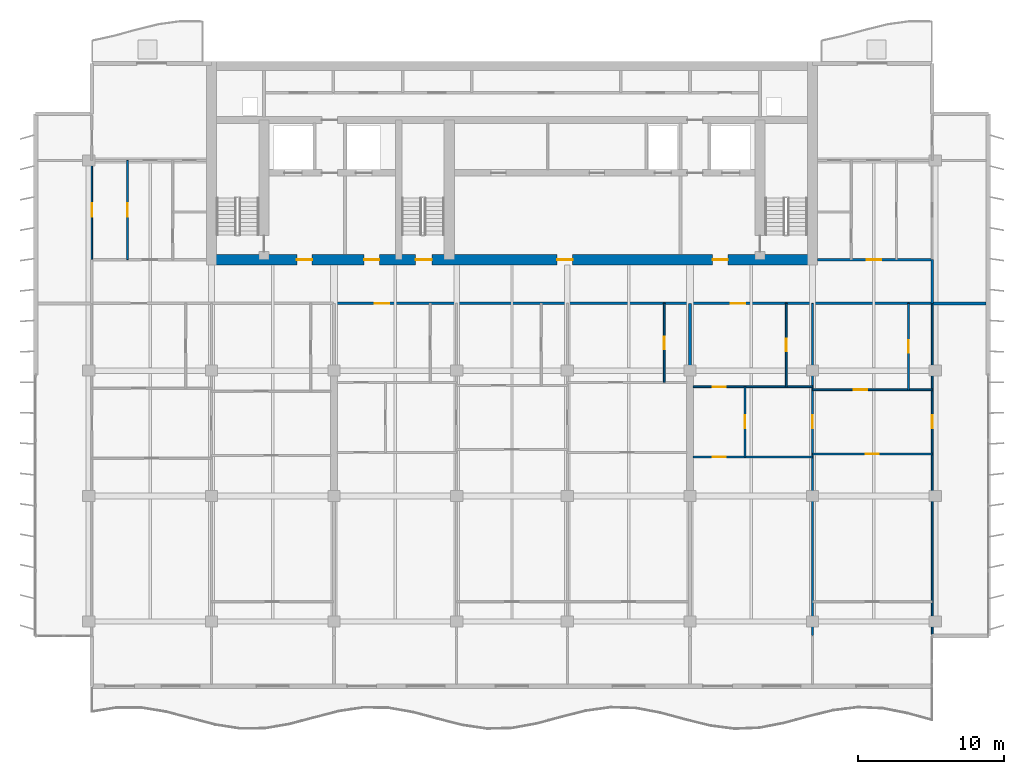
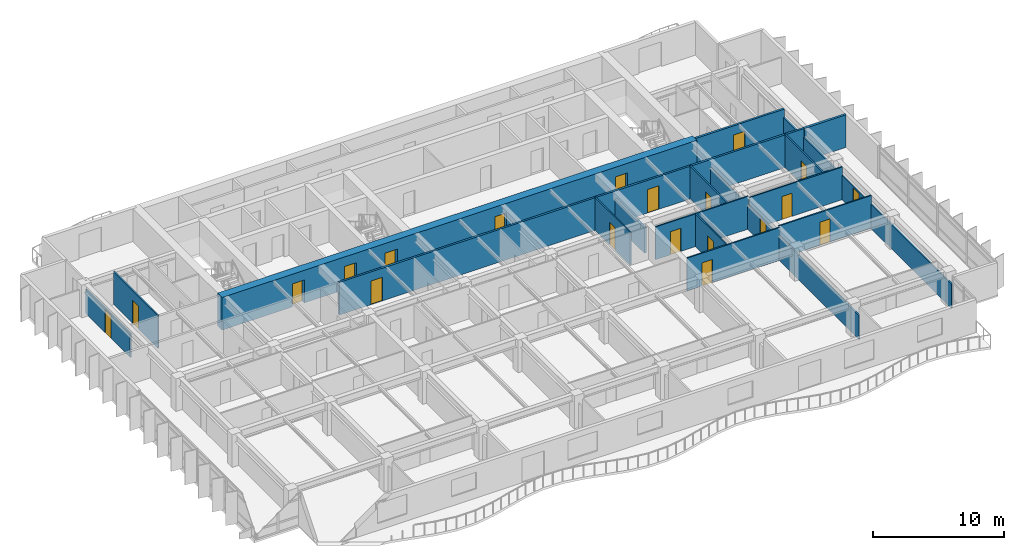
# One storey, part 9 of 16: 20 doors, 18 walls, 20 openings.
"""IFC4 building model written with IfcOpenShell, lengths in metres."""

from ifc_helpers import new_model, si_unit, direction, frame, frame_2d, origin, place, context, subcontext, project, spatial, rectangle, extrude, material, layer, layer_set, type_object, element, fill, save


model = new_model("IFC4")

# Units and contexts
model_context = context("Model", 3, precision=1e-05, world=origin(), true_north=direction((0.0, 1.0)))
body_context = subcontext(model_context, "Body", "Model", "MODEL_VIEW")
ifc_project = project(units=[si_unit("LENGTHUNIT", "METRE"), si_unit("AREAUNIT", "SQUARE_METRE"), si_unit("VOLUMEUNIT", "CUBIC_METRE"), si_unit("PLANEANGLEUNIT", "RADIAN"), si_unit("MASSUNIT", "GRAM", prefix="KILO")], contexts=[model_context])

# Site, building, storey
site_placement = place(None, origin())
site = spatial("IfcSite", under=ifc_project, at=site_placement, CompositionType="ELEMENT")
building_placement = place(site_placement, origin())
building = spatial("IfcBuilding", under=site, at=building_placement, Name="Caelmar Bay Residences", CompositionType="ELEMENT")
storey_placement = place(building_placement, frame((0.0, 0.0, 211.5)))
storey = spatial("IfcBuildingStorey", under=building, at=storey_placement, Name="L59", CompositionType="ELEMENT", Elevation=211.5)

# Wall, openings, doors
ifc_material_1 = material(Name="Concrete f'c 55 MPa (8,000 psi)", Category="concrete")
ifc_layer_1 = layer(ifc_material_1, 0.699951171875)
ifc_layer_set_1 = layer_set([ifc_layer_1], Name="Concrete f'c 55 MPa (8,000 psi)")
wall_type_1 = type_object("IfcWallType", Name="SW-COR-700", PredefinedType="SHEAR", material=ifc_layer_set_1)
wall_1_placement = place(storey_placement, frame((17.949951171875, 37.0, 0.0), z_axis=(0.0, 0.0, 1.0), x_axis=(1.0, 0.0, 0.0)))
wall_1 = element("IfcWall", 1, at=wall_1_placement, inside=storey, type_object=wall_type_1, Name="L59 Rear Core South Shear Wall", PredefinedType="SHEAR", context=body_context, shape_type="SweptSolid", body=[
    extrude(rectangle(XDim=41.900146484375, YDim=0.699951171875, at=frame_2d((20.9501953125, 0.0))), origin(), (0.0, 0.0, 1.0), 3.050048828125),
])
opening_1_placement = place(wall_1_placement, frame((14.35009765625, 0.0, 0.0)))
opening_1 = element("IfcOpeningElement", 2, at=opening_1_placement, cuts=wall_1, Name="Opening D-L59-105", PredefinedType="OPENING", context=body_context, shape_type="SweptSolid", body=[
    extrude(rectangle(XDim=1.10009765625, YDim=2.14990234375, at=frame_2d((0.550048828125, 1.074951171875))), frame((0.0, 0.35986328125, 0.0), z_axis=(0.0, -1.0, 0.0), x_axis=(1.0, 0.0, 0.0)), (0.0, 0.0, 1.0), 0.719970703125),
])
opening_2_placement = place(wall_1_placement, frame((6.199951171875, 0.0, 0.0)))
opening_2 = element("IfcOpeningElement", 3, at=opening_2_placement, cuts=wall_1, Name="Opening D-L59-106", PredefinedType="OPENING", context=body_context, shape_type="SweptSolid", body=[
    extrude(rectangle(XDim=1.050048828125, YDim=2.14990234375, at=frame_2d((0.52490234375, 1.074951171875))), frame((0.0, 0.35986328125, 0.0), z_axis=(0.0, -1.0, 0.0), x_axis=(1.0, 0.0, 0.0)), (0.0, 0.0, 1.0), 0.719970703125),
])
opening_3_placement = place(wall_1_placement, frame((34.699951171875, 0.0, 0.0)))
opening_3 = element("IfcOpeningElement", 4, at=opening_3_placement, cuts=wall_1, Name="Opening D-L59-109", PredefinedType="OPENING", context=body_context, shape_type="SweptSolid", body=[
    extrude(rectangle(XDim=1.050048828125, YDim=2.14990234375, at=frame_2d((0.52490234375, 1.074951171875))), frame((0.0, 0.35986328125, 0.0), z_axis=(0.0, -1.0, 0.0), x_axis=(1.0, 0.0, 0.0)), (0.0, 0.0, 1.0), 0.719970703125),
])
opening_4_placement = place(wall_1_placement, frame((10.8125, 0.0, 0.0)))
opening_4 = element("IfcOpeningElement", 5, at=opening_4_placement, cuts=wall_1, Name="Opening D-L59-112", PredefinedType="OPENING", context=body_context, shape_type="SweptSolid", body=[
    extrude(rectangle(XDim=1.050048828125, YDim=2.14990234375, at=frame_2d((0.52490234375, 1.074951171875))), frame((0.0, 0.35986328125, 0.0), z_axis=(0.0, -1.0, 0.0), x_axis=(1.0, 0.0, 0.0)), (0.0, 0.0, 1.0), 0.719970703125),
])
opening_5_placement = place(wall_1_placement, frame((24.050048828125, 0.0, 0.0)))
opening_5 = element("IfcOpeningElement", 6, at=opening_5_placement, cuts=wall_1, Name="Opening D-L59-113", PredefinedType="OPENING", context=body_context, shape_type="SweptSolid", body=[
    extrude(rectangle(XDim=1.050048828125, YDim=2.14990234375, at=frame_2d((0.52490234375, 1.074951171875))), frame((0.0, 0.35986328125, 0.0), z_axis=(0.0, -1.0, 0.0), x_axis=(1.0, 0.0, 0.0)), (0.0, 0.0, 1.0), 0.719970703125),
])
ifc_material_2 = material(Name="Fire-rated steel and walnut architectural door assembly", Category="steel")
ifc_layer_2 = layer(ifc_material_2, 0.050048828125)
ifc_layer_set_2 = layer_set([ifc_layer_2], Name="Fire-rated steel and walnut architectural door assembly")
door_type_1 = type_object("IfcDoorType", Name="D-FSAE-1050", OperationType="NOTDEFINED", PredefinedType="DOOR", material=ifc_layer_set_2)
door_1_placement = place(opening_2_placement, origin())
door_1 = element("IfcDoor", 7, at=door_1_placement, inside=storey, type_object=door_type_1, Name="L59 Firefighting Lobby West Door", OperationType="SINGLE_SWING_RIGHT", OverallHeight=2.14990234375, OverallWidth=1.050048828125, PredefinedType="DOOR", context=body_context, shape_type="SweptSolid", body=[
    extrude(rectangle(XDim=1.050048828125, YDim=2.14990234375, at=frame_2d((0.52490234375, 1.074951171875))), frame((0.0, 0.02490234375, 0.0), z_axis=(0.0, -1.0, 0.0), x_axis=(1.0, 0.0, 0.0)), (0.0, 0.0, 1.0), 0.050048828125),
])
fill(opening_2, door_1)
door_2_placement = place(opening_3_placement, origin())
door_2 = element("IfcDoor", 8, at=door_2_placement, inside=storey, type_object=door_type_1, Name="L59 Firefighting Lobby East Door", OperationType="SINGLE_SWING_LEFT", OverallHeight=2.14990234375, OverallWidth=1.050048828125, PredefinedType="DOOR", context=body_context, shape_type="SweptSolid", body=[
    extrude(rectangle(XDim=1.050048828125, YDim=2.14990234375, at=frame_2d((0.52490234375, 1.074951171875))), frame((0.0, 0.02490234375, 0.0), z_axis=(0.0, -1.0, 0.0), x_axis=(1.0, 0.0, 0.0)), (0.0, 0.0, 1.0), 0.050048828125),
])
fill(opening_3, door_2)
door_3_placement = place(opening_4_placement, origin())
door_3 = element("IfcDoor", 9, at=door_3_placement, inside=storey, type_object=door_type_1, Name="L59 West Lift Lobby Door", OperationType="SINGLE_SWING_RIGHT", OverallHeight=2.14990234375, OverallWidth=1.050048828125, PredefinedType="DOOR", context=body_context, shape_type="SweptSolid", body=[
    extrude(rectangle(XDim=1.050048828125, YDim=2.14990234375, at=frame_2d((0.52490234375, 1.074951171875))), frame((0.0, 0.02490234375, 0.0), z_axis=(0.0, -1.0, 0.0), x_axis=(1.0, 0.0, 0.0)), (0.0, 0.0, 1.0), 0.050048828125),
])
fill(opening_4, door_3)
door_4_placement = place(opening_5_placement, origin())
door_4 = element("IfcDoor", 10, at=door_4_placement, inside=storey, type_object=door_type_1, Name="L59 Passenger Lift Lobby Door", OperationType="SINGLE_SWING_LEFT", OverallHeight=2.14990234375, OverallWidth=1.050048828125, PredefinedType="DOOR", context=body_context, shape_type="SweptSolid", body=[
    extrude(rectangle(XDim=1.050048828125, YDim=2.14990234375, at=frame_2d((0.52490234375, 1.074951171875))), frame((0.0, 0.02490234375, 0.0), z_axis=(0.0, -1.0, 0.0), x_axis=(1.0, 0.0, 0.0)), (0.0, 0.0, 1.0), 0.050048828125),
])
fill(opening_5, door_4)
ifc_layer_3 = layer(ifc_material_2, 0.050048828125)
ifc_layer_set_3 = layer_set([ifc_layer_3], Name="Fire-rated steel and walnut architectural door assembly")
door_type_2 = type_object("IfcDoorType", Name="D-STAIR-1100", OperationType="NOTDEFINED", PredefinedType="DOOR", material=ifc_layer_set_3)
door_5_placement = place(opening_1_placement, origin())
door_5 = element("IfcDoor", 11, at=door_5_placement, inside=storey, type_object=door_type_2, Name="L59 Exit Stair ST3 Door", OperationType="SINGLE_SWING_LEFT", OverallHeight=2.14990234375, OverallWidth=1.10009765625, PredefinedType="DOOR", context=body_context, shape_type="SweptSolid", body=[
    extrude(rectangle(XDim=1.10009765625, YDim=2.14990234375, at=frame_2d((0.550048828125, 1.074951171875))), frame((0.0, 0.02490234375, 0.0), z_axis=(0.0, -1.0, 0.0), x_axis=(1.0, 0.0, 0.0)), (0.0, 0.0, 1.0), 0.050048828125),
])
fill(opening_1, door_5)

# Wall
ifc_material_3 = material(Name="Double-stud acoustic fire-rated gypsum partition 180 mm")
ifc_layer_4 = layer(ifc_material_3, 0.179931640625)
ifc_layer_set_4 = layer_set([ifc_layer_4], Name="Double-stud acoustic fire-rated gypsum partition 180 mm")
wall_type_2 = type_object("IfcWallType", Name="W-COR-200", PredefinedType="PARTITIONING", material=ifc_layer_set_4)
wall_2_placement = place(storey_placement, frame((67.699951171875, 34.0048828125, 0.0), z_axis=(0.0, 0.0, 1.0), x_axis=(0.0, 1.0, 0.0)))
element("IfcWall", 12, at=wall_2_placement, inside=storey, type_object=wall_type_2, Name="L59 Partition Wall V048", PredefinedType="PARTITIONING", context=body_context, shape_type="SweptSolid", body=[
    extrude(rectangle(XDim=2.9951171875, YDim=0.179931640625, at=frame_2d((1.49755859375, 0.0))), origin(), (0.0, 0.0, 1.0), 2.262939453125),
])

# Wall, openings, doors
wall_3_placement = place(storey_placement, frame((26.699951171875, 34.0, 0.0), z_axis=(0.0, 0.0, 1.0), x_axis=(1.0, 0.0, 0.0)))
wall_3 = element("IfcWall", 13, at=wall_3_placement, inside=storey, type_object=wall_type_2, Name="L59 Partition Wall H070", PredefinedType="PARTITIONING", context=body_context, shape_type="SweptSolid", body=[
    extrude(rectangle(XDim=41.0, YDim=0.179931640625, at=frame_2d((20.5, 0.0))), origin(), (0.0, 0.0, 1.0), 3.050048828125),
])
opening_6_placement = place(wall_3_placement, frame((2.7958984375, 0.0, 0.0)))
opening_6 = element("IfcOpeningElement", 14, at=opening_6_placement, cuts=wall_3, Name="Opening D-L59-133", PredefinedType="OPENING", context=body_context, shape_type="SweptSolid", body=[
    extrude(rectangle(XDim=1.0, YDim=2.199951171875, at=frame_2d((0.5, 1.10009765625))), frame((0.0, 0.099853515625, 0.0), z_axis=(0.0, -1.0, 0.0), x_axis=(1.0, 0.0, 0.0)), (0.0, 0.0, 1.0), 0.199951171875),
])
opening_7_placement = place(wall_3_placement, frame((27.199462890625, 0.0, 0.0)))
opening_7 = element("IfcOpeningElement", 15, at=opening_7_placement, cuts=wall_3, Name="Opening D-L59-148", PredefinedType="OPENING", context=body_context, shape_type="SweptSolid", body=[
    extrude(rectangle(XDim=1.0, YDim=2.199951171875, at=frame_2d((0.5, 1.10009765625))), frame((0.0, 0.099853515625, 0.0), z_axis=(0.0, -1.0, 0.0), x_axis=(1.0, 0.0, 0.0)), (0.0, 0.0, 1.0), 0.199951171875),
])
ifc_layer_5 = layer(ifc_material_2, 0.050048828125)
ifc_layer_set_5 = layer_set([ifc_layer_5], Name="Fire-rated steel and walnut architectural door assembly")
door_type_3 = type_object("IfcDoorType", Name="D-UNIT-1000", OperationType="NOTDEFINED", PredefinedType="DOOR", material=ifc_layer_set_5)
door_6_placement = place(opening_6_placement, origin())
door_6 = element("IfcDoor", 16, at=door_6_placement, inside=storey, type_object=door_type_3, Name="L59 Residence 02 Apartment Hall Door", OperationType="SINGLE_SWING_LEFT", OverallHeight=2.199951171875, OverallWidth=1.0, PredefinedType="DOOR", context=body_context, shape_type="SweptSolid", body=[
    extrude(rectangle(XDim=1.0, YDim=2.199951171875, at=frame_2d((0.5, 1.10009765625))), frame((0.0, 0.02490234375, 0.0), z_axis=(0.0, -1.0, 0.0), x_axis=(1.0, 0.0, 0.0)), (0.0, 0.0, 1.0), 0.050048828125),
])
fill(opening_6, door_6)
door_7_placement = place(opening_7_placement, origin())
door_7 = element("IfcDoor", 17, at=door_7_placement, inside=storey, type_object=door_type_3, Name="L59 Residence 03 Apartment Hall Door", OperationType="SINGLE_SWING_RIGHT", OverallHeight=2.199951171875, OverallWidth=1.0, PredefinedType="DOOR", context=body_context, shape_type="SweptSolid", body=[
    extrude(rectangle(XDim=1.0, YDim=2.199951171875, at=frame_2d((0.5, 1.10009765625))), frame((0.0, 0.02490234375, 0.0), z_axis=(0.0, -1.0, 0.0), x_axis=(1.0, 0.0, 0.0)), (0.0, 0.0, 1.0), 0.050048828125),
])
fill(opening_7, door_7)

# Wall, opening, door
wall_4_placement = place(storey_placement, frame((59.85498046875, 37.0, 0.0), z_axis=(0.0, 0.0, 1.0), x_axis=(1.0, 0.0, 0.0)))
wall_4 = element("IfcWall", 18, at=wall_4_placement, inside=storey, type_object=wall_type_2, Name="L59 Partition Wall H073", PredefinedType="PARTITIONING", context=body_context, shape_type="SweptSolid", body=[
    extrude(rectangle(XDim=7.844970703125, YDim=0.179931640625, at=frame_2d((3.92236328125, 0.0))), origin(), (0.0, 0.0, 1.0), 3.050048828125),
])
opening_8_placement = place(wall_4_placement, frame((3.34912109375, 0.0, 0.0)))
opening_8 = element("IfcOpeningElement", 19, at=opening_8_placement, cuts=wall_4, Name="Opening D-L59-168", PredefinedType="OPENING", context=body_context, shape_type="SweptSolid", body=[
    extrude(rectangle(XDim=1.0, YDim=2.199951171875, at=frame_2d((0.5, 1.10009765625))), frame((0.0, 0.099853515625, 0.0), z_axis=(0.0, -1.0, 0.0), x_axis=(1.0, 0.0, 0.0)), (0.0, 0.0, 1.0), 0.199951171875),
])
door_8_placement = place(opening_8_placement, origin())
door_8 = element("IfcDoor", 20, at=door_8_placement, inside=storey, type_object=door_type_3, Name="L59 Residence EA Kitchen Door", OperationType="SINGLE_SWING_RIGHT", OverallHeight=2.199951171875, OverallWidth=1.0, PredefinedType="DOOR", context=body_context, shape_type="SweptSolid", body=[
    extrude(rectangle(XDim=1.0, YDim=2.199951171875, at=frame_2d((0.5, 1.10009765625))), frame((0.0, 0.02490234375, 0.0), z_axis=(0.0, -1.0, 0.0), x_axis=(1.0, 0.0, 0.0)), (0.0, 0.0, 1.0), 0.050048828125),
])
fill(opening_8, door_8)

ifc_material_4 = material(Name="Anodised bronze framed acoustic sliding study partition 100 mm")
ifc_layer_6 = layer(ifc_material_4, 0.10009765625)
ifc_layer_set_6 = layer_set([ifc_layer_6], Name="Anodised bronze framed acoustic sliding study partition 100 mm")
wall_type_3 = type_object("IfcWallType", Name="W-MOV-100", PredefinedType="MOVABLE", material=ifc_layer_set_6)
wall_5_placement = place(storey_placement, frame((10.10009765625, 37.0048828125, 0.0), z_axis=(0.0, 0.0, 1.0), x_axis=(0.0, 1.0, 0.0)))
wall_5 = element("IfcWall", 21, at=wall_5_placement, inside=storey, type_object=wall_type_3, Name="L59 Partition Wall V003", PredefinedType="MOVABLE", context=body_context, shape_type="SweptSolid", body=[
    extrude(rectangle(XDim=6.795166015625, YDim=0.10009765625, at=frame_2d((3.3974609375, 0.0))), origin(), (0.0, 0.0, 1.0), 2.262939453125),
])
opening_9_placement = place(wall_5_placement, frame((2.947509765625, 0.0, 0.0)))
opening_9 = element("IfcOpeningElement", 22, at=opening_9_placement, cuts=wall_5, Name="Opening D-L59-165", PredefinedType="OPENING", context=body_context, shape_type="SweptSolid", body=[
    extrude(rectangle(XDim=0.89990234375, YDim=2.14990234375, at=frame_2d((0.449951171875, 1.074951171875))), frame((0.0, 0.06005859375, 0.0), z_axis=(0.0, -1.0, 0.0), x_axis=(1.0, 0.0, 0.0)), (0.0, 0.0, 1.0), 0.1201171875),
])
ifc_material_5 = material(Name="Solid walnut timber interior door leaf and frame", Category="wood")
ifc_layer_7 = layer(ifc_material_5, 0.050048828125)
ifc_layer_set_7 = layer_set([ifc_layer_7], Name="Solid walnut timber interior door leaf and frame")
door_type_4 = type_object("IfcDoorType", Name="D-ROOM-900", OperationType="NOTDEFINED", PredefinedType="DOOR", material=ifc_layer_set_7)
door_9_placement = place(opening_9_placement, origin())
door_9 = element("IfcDoor", 23, at=door_9_placement, inside=storey, type_object=door_type_4, Name="L59 Residence WA Sun Study Door", OperationType="SINGLE_SWING_LEFT", OverallHeight=2.14990234375, OverallWidth=0.89990234375, PredefinedType="DOOR", context=body_context, shape_type="SweptSolid", body=[
    extrude(rectangle(XDim=0.89990234375, YDim=2.14990234375, at=frame_2d((0.449951171875, 1.074951171875))), frame((0.0, 0.02490234375, 0.0), z_axis=(0.0, -1.0, 0.0), x_axis=(1.0, 0.0, 0.0)), (0.0, 0.0, 1.0), 0.050048828125),
])
fill(opening_9, door_9)

ifc_material_6 = material(Name="Acoustic metal-stud gypsum partition 120 mm")
ifc_layer_8 = layer(ifc_material_6, 0.1201171875)
ifc_layer_set_8 = layer_set([ifc_layer_8], Name="Acoustic metal-stud gypsum partition 120 mm")
wall_type_4 = type_object("IfcWallType", Name="W-PRT-120", PredefinedType="PARTITIONING", material=ifc_layer_set_8)
wall_6_placement = place(storey_placement, frame((12.5419921875, 37.0, 0.0), z_axis=(0.0, 0.0, 1.0), x_axis=(0.0, 1.0, 0.0)))
wall_6 = element("IfcWall", 24, at=wall_6_placement, inside=storey, type_object=wall_type_4, Name="L59 Partition Wall V005", PredefinedType="PARTITIONING", context=body_context, shape_type="SweptSolid", body=[
    extrude(rectangle(XDim=6.800048828125, YDim=0.1201171875, at=frame_2d((3.39990234375, 0.0))), origin(), (0.0, 0.0, 1.0), 3.050048828125),
])
opening_10_placement = place(wall_6_placement, frame((2.949951171875, 0.0, 0.0)))
opening_10 = element("IfcOpeningElement", 25, at=opening_10_placement, cuts=wall_6, Name="Opening D-L59-160", PredefinedType="OPENING", context=body_context, shape_type="SweptSolid", body=[
    extrude(rectangle(XDim=0.89990234375, YDim=2.14990234375, at=frame_2d((0.449951171875, 1.074951171875))), frame((0.0, 0.070068359375, 0.0), z_axis=(0.0, -1.0, 0.0), x_axis=(1.0, 0.0, 0.0)), (0.0, 0.0, 1.0), 0.14013671875),
])
door_10_placement = place(opening_10_placement, origin())
door_10 = element("IfcDoor", 26, at=door_10_placement, inside=storey, type_object=door_type_4, Name="L59 Residence WA Dining Room Door", OperationType="SINGLE_SWING_RIGHT", OverallHeight=2.14990234375, OverallWidth=0.89990234375, PredefinedType="DOOR", context=body_context, shape_type="SweptSolid", body=[
    extrude(rectangle(XDim=0.89990234375, YDim=2.14990234375, at=frame_2d((0.449951171875, 1.074951171875))), frame((0.0, 0.02490234375, 0.0), z_axis=(0.0, -1.0, 0.0), x_axis=(1.0, 0.0, 0.0)), (0.0, 0.0, 1.0), 0.050048828125),
])
fill(opening_10, door_10)

wall_7_placement = place(storey_placement, frame((49.3291015625, 28.580078125, 0.0), z_axis=(0.0, 0.0, 1.0), x_axis=(0.0, 1.0, 0.0)))
wall_7 = element("IfcWall", 27, at=wall_7_placement, inside=storey, type_object=wall_type_4, Name="L59 Partition Wall V031", PredefinedType="PARTITIONING", context=body_context, shape_type="SweptSolid", body=[
    extrude(rectangle(XDim=5.419921875, YDim=0.1201171875, at=frame_2d((2.7099609375, 0.0))), origin(), (0.0, 0.0, 1.0), 3.050048828125),
])
opening_11_placement = place(wall_7_placement, frame((2.284912109375, 0.0, 0.0)))
opening_11 = element("IfcOpeningElement", 28, at=opening_11_placement, cuts=wall_7, Name="Opening D-L59-145", PredefinedType="OPENING", context=body_context, shape_type="SweptSolid", body=[
    extrude(rectangle(XDim=0.85009765625, YDim=2.10009765625, at=frame_2d((0.425048828125, 1.050048828125))), frame((0.0, 0.070068359375, 0.0), z_axis=(0.0, -1.0, 0.0), x_axis=(1.0, 0.0, 0.0)), (0.0, 0.0, 1.0), 0.14013671875),
])
ifc_layer_9 = layer(ifc_material_5, 0.050048828125)
ifc_layer_set_9 = layer_set([ifc_layer_9], Name="Solid walnut timber interior door leaf and frame")
door_type_5 = type_object("IfcDoorType", Name="D-BATH-850", OperationType="NOTDEFINED", PredefinedType="DOOR", material=ifc_layer_set_9)
door_11_placement = place(opening_11_placement, origin())
door_11 = element("IfcDoor", 29, at=door_11_placement, inside=storey, type_object=door_type_5, Name="L59 Residence 02 En-Suite Bathroom 2 Door", OperationType="SINGLE_SWING_LEFT", OverallHeight=2.10009765625, OverallWidth=0.85009765625, PredefinedType="DOOR", context=body_context, shape_type="SweptSolid", body=[
    extrude(rectangle(XDim=0.85009765625, YDim=2.10009765625, at=frame_2d((0.425048828125, 1.050048828125))), frame((0.0, 0.02490234375, 0.0), z_axis=(0.0, -1.0, 0.0), x_axis=(1.0, 0.0, 0.0)), (0.0, 0.0, 1.0), 0.050048828125),
])
fill(opening_11, door_11)

wall_8_placement = place(storey_placement, frame((54.8798828125, 23.47998046875, 0.0), z_axis=(0.0, 0.0, 1.0), x_axis=(0.0, 1.0, 0.0)))
wall_8 = element("IfcWall", 30, at=wall_8_placement, inside=storey, type_object=wall_type_4, Name="L59 Partition Wall V039", PredefinedType="PARTITIONING", context=body_context, shape_type="SweptSolid", body=[
    extrude(rectangle(XDim=4.800048828125, YDim=0.1201171875, at=frame_2d((2.39990234375, 0.0))), origin(), (0.0, 0.0, 1.0), 3.050048828125),
])
opening_12_placement = place(wall_8_placement, frame((1.949951171875, 0.0, 0.0)))
opening_12 = element("IfcOpeningElement", 31, at=opening_12_placement, cuts=wall_8, Name="Opening D-L59-151", PredefinedType="OPENING", context=body_context, shape_type="SweptSolid", body=[
    extrude(rectangle(XDim=0.89990234375, YDim=2.14990234375, at=frame_2d((0.449951171875, 1.074951171875))), frame((0.0, 0.070068359375, 0.0), z_axis=(0.0, -1.0, 0.0), x_axis=(1.0, 0.0, 0.0)), (0.0, 0.0, 1.0), 0.14013671875),
])
door_12_placement = place(opening_12_placement, origin())
door_12 = element("IfcDoor", 32, at=door_12_placement, inside=storey, type_object=door_type_4, Name="L59 Residence 03 Kitchen Door", OperationType="SINGLE_SWING_LEFT", OverallHeight=2.14990234375, OverallWidth=0.89990234375, PredefinedType="DOOR", context=body_context, shape_type="SweptSolid", body=[
    extrude(rectangle(XDim=0.89990234375, YDim=2.14990234375, at=frame_2d((0.449951171875, 1.074951171875))), frame((0.0, 0.02490234375, 0.0), z_axis=(0.0, -1.0, 0.0), x_axis=(1.0, 0.0, 0.0)), (0.0, 0.0, 1.0), 0.050048828125),
])
fill(opening_12, door_12)

wall_9_placement = place(storey_placement, frame((57.698974609375, 28.280029296875, 0.0), z_axis=(0.0, 0.0, 1.0), x_axis=(0.0, 1.0, 0.0)))
wall_9 = element("IfcWall", 33, at=wall_9_placement, inside=storey, type_object=wall_type_4, Name="L59 Partition Wall V041", PredefinedType="PARTITIONING", context=body_context, shape_type="SweptSolid", body=[
    extrude(rectangle(XDim=5.719970703125, YDim=0.1201171875, at=frame_2d((2.85986328125, 0.0))), origin(), (0.0, 0.0, 1.0), 3.050048828125),
])
opening_13_placement = place(wall_9_placement, frame((2.43505859375, 0.0, 0.0)))
opening_13 = element("IfcOpeningElement", 34, at=opening_13_placement, cuts=wall_9, Name="Opening D-L59-149", PredefinedType="OPENING", context=body_context, shape_type="SweptSolid", body=[
    extrude(rectangle(XDim=0.85009765625, YDim=2.10009765625, at=frame_2d((0.425048828125, 1.050048828125))), frame((0.0, 0.070068359375, 0.0), z_axis=(0.0, -1.0, 0.0), x_axis=(1.0, 0.0, 0.0)), (0.0, 0.0, 1.0), 0.14013671875),
])
door_13_placement = place(opening_13_placement, origin())
door_13 = element("IfcDoor", 35, at=door_13_placement, inside=storey, type_object=door_type_5, Name="L59 Residence 03 Guest Bathroom Door", OperationType="SINGLE_SWING_LEFT", OverallHeight=2.10009765625, OverallWidth=0.85009765625, PredefinedType="DOOR", context=body_context, shape_type="SweptSolid", body=[
    extrude(rectangle(XDim=0.85009765625, YDim=2.10009765625, at=frame_2d((0.425048828125, 1.050048828125))), frame((0.0, 0.02490234375, 0.0), z_axis=(0.0, -1.0, 0.0), x_axis=(1.0, 0.0, 0.0)), (0.0, 0.0, 1.0), 0.050048828125),
])
fill(opening_13, door_13)

wall_10_placement = place(storey_placement, frame((59.5, 11.239990234375, 0.0), z_axis=(0.0, 0.0, 1.0), x_axis=(0.0, 1.0, 0.0)))
wall_10 = element("IfcWall", 36, at=wall_10_placement, inside=storey, type_object=wall_type_4, Name="L59 Partition Wall V043", PredefinedType="PARTITIONING", context=body_context, shape_type="SweptSolid", body=[
    extrude(rectangle(XDim=22.760009765625, YDim=0.1201171875, at=frame_2d((11.3798828125, 0.0))), origin(), (0.0, 0.0, 1.0), 2.262939453125),
])
opening_14_placement = place(wall_10_placement, frame((14.18994140625, 0.0, 0.0)))
opening_14 = element("IfcOpeningElement", 37, at=opening_14_placement, cuts=wall_10, Name="Opening D-L59-153", PredefinedType="OPENING", context=body_context, shape_type="SweptSolid", body=[
    extrude(rectangle(XDim=0.89990234375, YDim=2.14990234375, at=frame_2d((0.449951171875, 1.074951171875))), frame((0.0, 0.070068359375, 0.0), z_axis=(0.0, -1.0, 0.0), x_axis=(1.0, 0.0, 0.0)), (0.0, 0.0, 1.0), 0.14013671875),
])
door_14_placement = place(opening_14_placement, origin())
door_14 = element("IfcDoor", 38, at=door_14_placement, inside=storey, type_object=door_type_4, Name="L59 Residence 03 Reception Lounge 1 Door", OperationType="SINGLE_SWING_LEFT", OverallHeight=2.14990234375, OverallWidth=0.89990234375, PredefinedType="DOOR", context=body_context, shape_type="SweptSolid", body=[
    extrude(rectangle(XDim=0.89990234375, YDim=2.14990234375, at=frame_2d((0.449951171875, 1.074951171875))), frame((0.0, 0.02490234375, 0.0), z_axis=(0.0, -1.0, 0.0), x_axis=(1.0, 0.0, 0.0)), (0.0, 0.0, 1.0), 0.050048828125),
])
fill(opening_14, door_14)

wall_11_placement = place(storey_placement, frame((66.077880859375, 28.080078125, 0.0), z_axis=(0.0, 0.0, 1.0), x_axis=(0.0, 1.0, 0.0)))
wall_11 = element("IfcWall", 39, at=wall_11_placement, inside=storey, type_object=wall_type_4, Name="L59 Partition Wall V046", PredefinedType="PARTITIONING", context=body_context, shape_type="SweptSolid", body=[
    extrude(rectangle(XDim=5.919921875, YDim=0.1201171875, at=frame_2d((2.9599609375, 0.0))), origin(), (0.0, 0.0, 1.0), 3.050048828125),
])
opening_15_placement = place(wall_11_placement, frame((2.534912109375, 0.0, 0.0)))
opening_15 = element("IfcOpeningElement", 40, at=opening_15_placement, cuts=wall_11, Name="Opening D-L59-155", PredefinedType="OPENING", context=body_context, shape_type="SweptSolid", body=[
    extrude(rectangle(XDim=0.85009765625, YDim=2.10009765625, at=frame_2d((0.425048828125, 1.050048828125))), frame((0.0, 0.070068359375, 0.0), z_axis=(0.0, -1.0, 0.0), x_axis=(1.0, 0.0, 0.0)), (0.0, 0.0, 1.0), 0.14013671875),
])
door_15_placement = place(opening_15_placement, origin())
door_15 = element("IfcDoor", 41, at=door_15_placement, inside=storey, type_object=door_type_5, Name="L59 Residence 03 En-Suite Bathroom 1 Door", OperationType="SINGLE_SWING_LEFT", OverallHeight=2.10009765625, OverallWidth=0.85009765625, PredefinedType="DOOR", context=body_context, shape_type="SweptSolid", body=[
    extrude(rectangle(XDim=0.85009765625, YDim=2.10009765625, at=frame_2d((0.425048828125, 1.050048828125))), frame((0.0, 0.02490234375, 0.0), z_axis=(0.0, -1.0, 0.0), x_axis=(1.0, 0.0, 0.0)), (0.0, 0.0, 1.0), 0.050048828125),
])
fill(opening_15, door_15)

wall_12_placement = place(storey_placement, frame((67.699951171875, 11.320068359375, 0.0), z_axis=(0.0, 0.0, 1.0), x_axis=(0.0, 1.0, 0.0)))
wall_12 = element("IfcWall", 42, at=wall_12_placement, inside=storey, type_object=wall_type_4, Name="L59 Partition Wall V047", PredefinedType="PARTITIONING", context=body_context, shape_type="SweptSolid", body=[
    extrude(rectangle(XDim=22.679931640625, YDim=0.1201171875, at=frame_2d((11.33984375, 0.0))), origin(), (0.0, 0.0, 1.0), 2.262939453125),
])
opening_16_placement = place(wall_12_placement, frame((14.110107421875, 0.0, 0.0)))
opening_16 = element("IfcOpeningElement", 43, at=opening_16_placement, cuts=wall_12, Name="Opening D-L59-159", PredefinedType="OPENING", context=body_context, shape_type="SweptSolid", body=[
    extrude(rectangle(XDim=0.89990234375, YDim=2.14990234375, at=frame_2d((0.449951171875, 1.074951171875))), frame((0.0, 0.070068359375, 0.0), z_axis=(0.0, -1.0, 0.0), x_axis=(1.0, 0.0, 0.0)), (0.0, 0.0, 1.0), 0.14013671875),
])
door_16_placement = place(opening_16_placement, origin())
door_16 = element("IfcDoor", 44, at=door_16_placement, inside=storey, type_object=door_type_4, Name="L59 Residence 03 Penthouse East Salon Door", OperationType="SINGLE_SWING_LEFT", OverallHeight=2.14990234375, OverallWidth=0.89990234375, PredefinedType="DOOR", context=body_context, shape_type="SweptSolid", body=[
    extrude(rectangle(XDim=0.89990234375, YDim=2.14990234375, at=frame_2d((0.449951171875, 1.074951171875))), frame((0.0, 0.02490234375, 0.0), z_axis=(0.0, -1.0, 0.0), x_axis=(1.0, 0.0, 0.0)), (0.0, 0.0, 1.0), 0.050048828125),
])
fill(opening_16, door_16)

wall_13_placement = place(storey_placement, frame((51.320068359375, 23.47998046875, 0.0), z_axis=(0.0, 0.0, 1.0), x_axis=(1.0, 0.0, 0.0)))
wall_13 = element("IfcWall", 45, at=wall_13_placement, inside=storey, type_object=wall_type_4, Name="L59 Partition Wall H055", PredefinedType="PARTITIONING", context=body_context, shape_type="SweptSolid", body=[
    extrude(rectangle(XDim=8.179931640625, YDim=0.1201171875, at=frame_2d((4.08984375, 0.0))), origin(), (0.0, 0.0, 1.0), 3.050048828125),
])
opening_17_placement = place(wall_13_placement, frame((1.330078125, 0.0, 0.0)))
opening_17 = element("IfcOpeningElement", 46, at=opening_17_placement, cuts=wall_13, Name="Opening D-L59-152", PredefinedType="OPENING", context=body_context, shape_type="SweptSolid", body=[
    extrude(rectangle(XDim=0.89990234375, YDim=2.14990234375, at=frame_2d((0.449951171875, 1.074951171875))), frame((0.0, 0.070068359375, 0.0), z_axis=(0.0, -1.0, 0.0), x_axis=(1.0, 0.0, 0.0)), (0.0, 0.0, 1.0), 0.14013671875),
])
door_17_placement = place(opening_17_placement, origin())
door_17 = element("IfcDoor", 47, at=door_17_placement, inside=storey, type_object=door_type_4, Name="L59 Residence 03 Penthouse Living Salon Door", OperationType="SINGLE_SWING_RIGHT", OverallHeight=2.14990234375, OverallWidth=0.89990234375, PredefinedType="DOOR", context=body_context, shape_type="SweptSolid", body=[
    extrude(rectangle(XDim=0.89990234375, YDim=2.14990234375, at=frame_2d((0.449951171875, 1.074951171875))), frame((0.0, 0.02490234375, 0.0), z_axis=(0.0, -1.0, 0.0), x_axis=(1.0, 0.0, 0.0)), (0.0, 0.0, 1.0), 0.050048828125),
])
fill(opening_17, door_17)

wall_14_placement = place(storey_placement, frame((59.5048828125, 23.679931640625, 0.0), z_axis=(0.0, 0.0, 1.0), x_axis=(1.0, 0.0, 0.0)))
wall_14 = element("IfcWall", 48, at=wall_14_placement, inside=storey, type_object=wall_type_4, Name="L59 Partition Wall H057", PredefinedType="PARTITIONING", context=body_context, shape_type="SweptSolid", body=[
    extrude(rectangle(XDim=8.195068359375, YDim=0.1201171875, at=frame_2d((4.09765625, 0.0))), origin(), (0.0, 0.0, 1.0), 3.050048828125),
])
opening_18_placement = place(wall_14_placement, frame((3.6474609375, 0.0, 0.0)))
opening_18 = element("IfcOpeningElement", 49, at=opening_18_placement, cuts=wall_14, Name="Opening D-L59-156", PredefinedType="OPENING", context=body_context, shape_type="SweptSolid", body=[
    extrude(rectangle(XDim=0.89990234375, YDim=2.14990234375, at=frame_2d((0.449951171875, 1.074951171875))), frame((0.0, 0.070068359375, 0.0), z_axis=(0.0, -1.0, 0.0), x_axis=(1.0, 0.0, 0.0)), (0.0, 0.0, 1.0), 0.14013671875),
])
door_18_placement = place(opening_18_placement, origin())
door_18 = element("IfcDoor", 50, at=door_18_placement, inside=storey, type_object=door_type_4, Name="L59 Residence 03 Penthouse Sitting Salon 1 Door", OperationType="SINGLE_SWING_RIGHT", OverallHeight=2.14990234375, OverallWidth=0.89990234375, PredefinedType="DOOR", context=body_context, shape_type="SweptSolid", body=[
    extrude(rectangle(XDim=0.89990234375, YDim=2.14990234375, at=frame_2d((0.449951171875, 1.074951171875))), frame((0.0, 0.02490234375, 0.0), z_axis=(0.0, -1.0, 0.0), x_axis=(1.0, 0.0, 0.0)), (0.0, 0.0, 1.0), 0.050048828125),
])
fill(opening_18, door_18)

wall_15_placement = place(storey_placement, frame((59.5, 28.080078125, 0.0), z_axis=(0.0, 0.0, 1.0), x_axis=(1.0, 0.0, 0.0)))
wall_15 = element("IfcWall", 51, at=wall_15_placement, inside=storey, type_object=wall_type_4, Name="L59 Partition Wall H062", PredefinedType="PARTITIONING", context=body_context, shape_type="SweptSolid", body=[
    extrude(rectangle(XDim=8.199951171875, YDim=0.1201171875, at=frame_2d((4.10009765625, 0.0))), origin(), (0.0, 0.0, 1.0), 3.050048828125),
])
opening_19_placement = place(wall_15_placement, frame((2.839111328125, 0.0, 0.0)))
opening_19 = element("IfcOpeningElement", 52, at=opening_19_placement, cuts=wall_15, Name="Opening D-L59-154", PredefinedType="OPENING", context=body_context, shape_type="SweptSolid", body=[
    extrude(rectangle(XDim=0.89990234375, YDim=2.14990234375, at=frame_2d((0.449951171875, 1.074951171875))), frame((0.0, 0.070068359375, 0.0), z_axis=(0.0, -1.0, 0.0), x_axis=(1.0, 0.0, 0.0)), (0.0, 0.0, 1.0), 0.14013671875),
])
door_19_placement = place(opening_19_placement, origin())
door_19 = element("IfcDoor", 53, at=door_19_placement, inside=storey, type_object=door_type_4, Name="L59 Residence 03 Private Reception Room 1 Door", OperationType="SINGLE_SWING_RIGHT", OverallHeight=2.14990234375, OverallWidth=0.89990234375, PredefinedType="DOOR", context=body_context, shape_type="SweptSolid", body=[
    extrude(rectangle(XDim=0.89990234375, YDim=2.14990234375, at=frame_2d((0.449951171875, 1.074951171875))), frame((0.0, 0.02490234375, 0.0), z_axis=(0.0, -1.0, 0.0), x_axis=(1.0, 0.0, 0.0)), (0.0, 0.0, 1.0), 0.050048828125),
])
fill(opening_19, door_19)

wall_16_placement = place(storey_placement, frame((51.320068359375, 28.280029296875, 0.0), z_axis=(0.0, 0.0, 1.0), x_axis=(1.0, 0.0, 0.0)))
wall_16 = element("IfcWall", 54, at=wall_16_placement, inside=storey, type_object=wall_type_4, Name="L59 Partition Wall H064", PredefinedType="PARTITIONING", context=body_context, shape_type="SweptSolid", body=[
    extrude(rectangle(XDim=8.179931640625, YDim=0.1201171875, at=frame_2d((4.08984375, 0.0))), origin(), (0.0, 0.0, 1.0), 3.050048828125),
])
opening_20_placement = place(wall_16_placement, frame((1.330078125, 0.0, 0.0)))
opening_20 = element("IfcOpeningElement", 55, at=opening_20_placement, cuts=wall_16, Name="Opening D-L59-150", PredefinedType="OPENING", context=body_context, shape_type="SweptSolid", body=[
    extrude(rectangle(XDim=0.89990234375, YDim=2.14990234375, at=frame_2d((0.449951171875, 1.074951171875))), frame((0.0, 0.070068359375, 0.0), z_axis=(0.0, -1.0, 0.0), x_axis=(1.0, 0.0, 0.0)), (0.0, 0.0, 1.0), 0.14013671875),
])
door_20_placement = place(opening_20_placement, origin())
door_20 = element("IfcDoor", 56, at=door_20_placement, inside=storey, type_object=door_type_4, Name="L59 Residence 03 Dining Room Door", OperationType="SINGLE_SWING_RIGHT", OverallHeight=2.14990234375, OverallWidth=0.89990234375, PredefinedType="DOOR", context=body_context, shape_type="SweptSolid", body=[
    extrude(rectangle(XDim=0.89990234375, YDim=2.14990234375, at=frame_2d((0.449951171875, 1.074951171875))), frame((0.0, 0.02490234375, 0.0), z_axis=(0.0, -1.0, 0.0), x_axis=(1.0, 0.0, 0.0)), (0.0, 0.0, 1.0), 0.050048828125),
])
fill(opening_20, door_20)

# Walls
ifc_material_7 = material(Name="Acoustic twin-stud fire-rated inter-tenancy partition 200 mm")
ifc_layer_10 = layer(ifc_material_7, 0.199951171875)
ifc_layer_set_10 = layer_set([ifc_layer_10], Name="Acoustic twin-stud fire-rated inter-tenancy partition 200 mm")
wall_type_5 = type_object("IfcWallType", Name="W-PTY-200", PredefinedType="PARTITIONING", material=ifc_layer_set_10)
wall_17_placement = place(storey_placement, frame((51.10009765625, 29.405029296875, 0.0), z_axis=(0.0, 0.0, 1.0), x_axis=(0.0, 1.0, 0.0)))
element("IfcWall", 57, at=wall_17_placement, inside=storey, type_object=wall_type_5, Name="L59 Partition Wall V036", PredefinedType="PARTITIONING", context=body_context, shape_type="SweptSolid", body=[
    extrude(rectangle(XDim=4.594970703125, YDim=0.199951171875, at=frame_2d((2.29736328125, 0.0))), origin(), (0.0, 0.0, 1.0), 2.3349609375),
])
wall_18_placement = place(storey_placement, frame((67.705078125, 34.0, 0.0), z_axis=(0.0, 0.0, 1.0), x_axis=(1.0, 0.0, 0.0)))
element("IfcWall", 58, at=wall_18_placement, inside=storey, type_object=wall_type_5, Name="L59 Partition Wall H071", PredefinedType="PARTITIONING", context=body_context, shape_type="SweptSolid", body=[
    extrude(rectangle(XDim=3.699951171875, YDim=0.199951171875, at=frame_2d((1.85009765625, 0.0))), origin(), (0.0, 0.0, 1.0), 3.050048828125),
])

save(model, "model.ifc")
